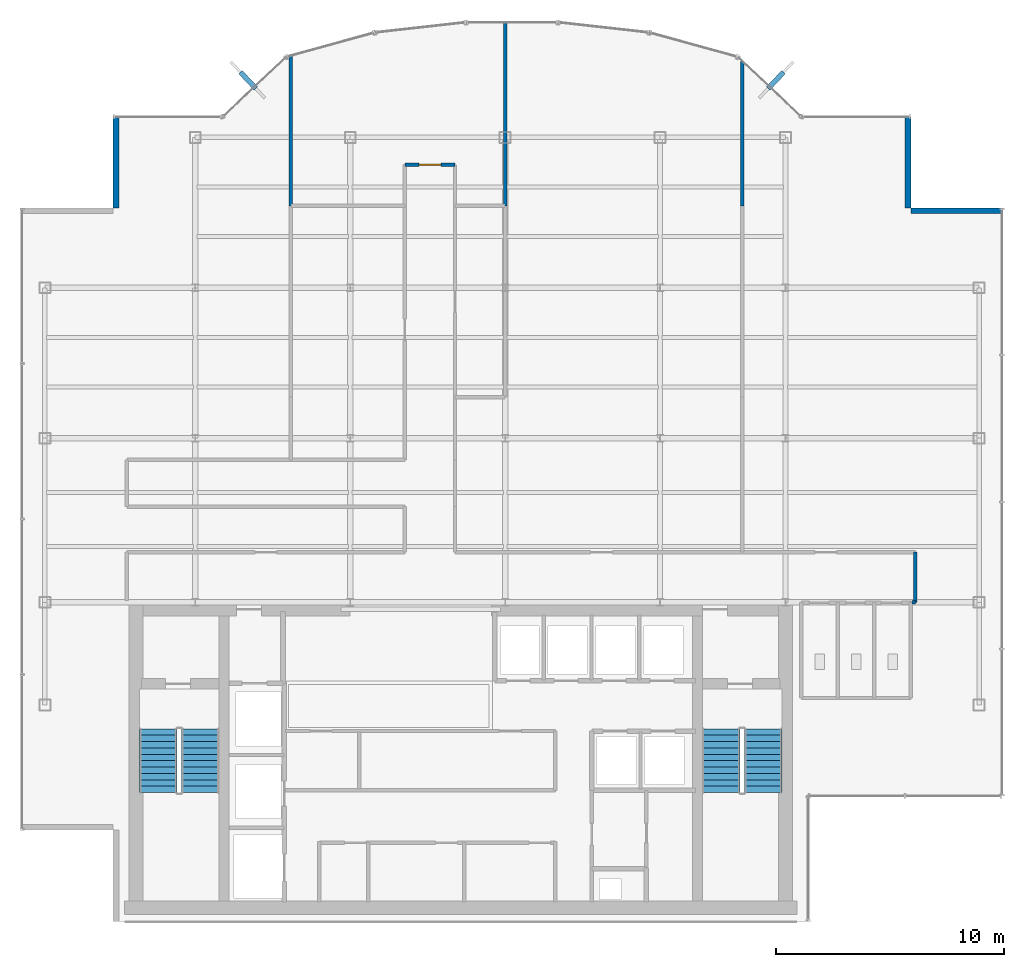
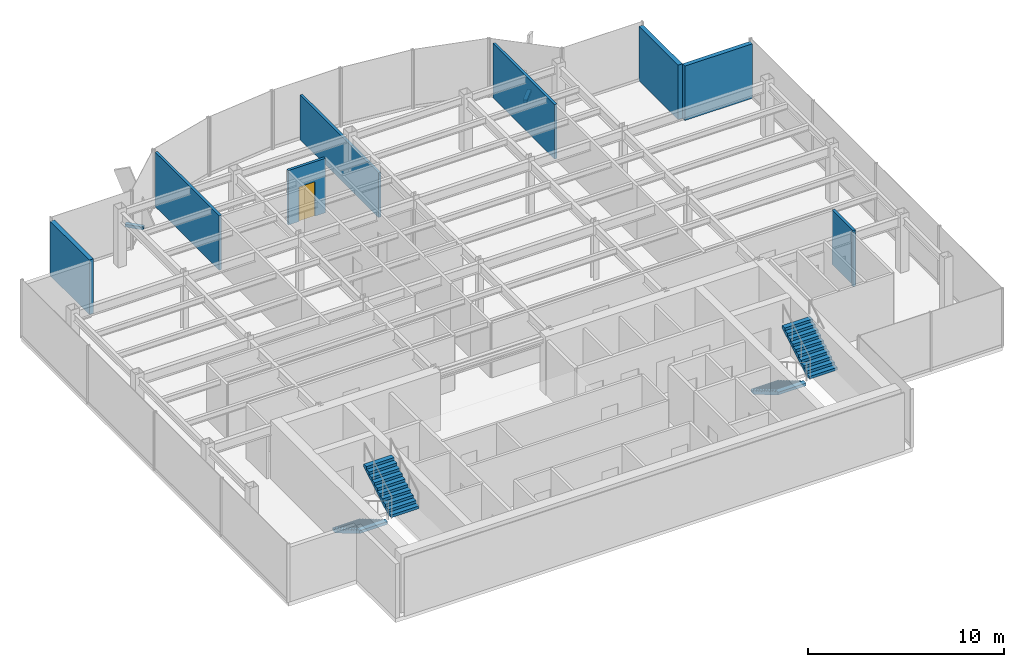
# One storey, part 19 of 22: 9 walls, 4 stair flights, 2 discrete accessories, 1 door, 1 opening, 2 elements without a shape of their own.
"""IFC4 building model written with IfcOpenShell, lengths in metres."""

from ifc_helpers import new_model, si_unit, derived_unit, direction, frame, frame_2d, origin, origin_2d, place, context, subcontext, project, spatial, polyline, rectangle, outline, extrude, source, transform, mapped, material, layer, layer_set, type_object, element, fill, aggregate, save


model = new_model("IFC4")

# Units and contexts
model_context = context("Model", 3, precision=1e-05, world=origin(), true_north=direction((0.0, 1.0)))
body_context = subcontext(model_context, "Body", "Model", "MODEL_VIEW")
ifc_project = project(units=[si_unit("LENGTHUNIT", "METRE"), si_unit("AREAUNIT", "SQUARE_METRE"), si_unit("VOLUMEUNIT", "CUBIC_METRE"), si_unit("PLANEANGLEUNIT", "RADIAN"), si_unit("MASSUNIT", "GRAM", prefix="KILO"), derived_unit("THERMALTRANSMITTANCEUNIT", [(si_unit("POWERUNIT", "WATT"), 1), (si_unit("LENGTHUNIT", "METRE"), -2), (si_unit("THERMODYNAMICTEMPERATUREUNIT", "KELVIN"), -1)])], contexts=[model_context])

# Site, building, storey
site_placement = place(None, origin())
site = spatial("IfcSite", under=ifc_project, at=site_placement, CompositionType="ELEMENT")
building_placement = place(site_placement, origin())
building = spatial("IfcBuilding", under=site, at=building_placement, Name="Skarnbrae Concourse Arena and Tower", CompositionType="ELEMENT")
storey_placement = place(building_placement, frame((0.0, 0.0, 206.85009765625)))
storey = spatial("IfcBuildingStorey", under=building, at=storey_placement, Name="L53", CompositionType="ELEMENT", Elevation=206.85009765625)

# Walls
ifc_material_1 = material(Name="Precast concrete 40 MPa (C40/50)", Category="concrete")
ifc_layer_1 = layer(ifc_material_1, 0.25)
ifc_layer_set_1 = layer_set([ifc_layer_1], Name="Precast concrete 40 MPa (C40/50)")
wall_type_1 = type_object("IfcWallType", Name="WALL-EXT-SPANDREL-250", PredefinedType="STANDARD", material=ifc_layer_set_1)
shared_shape_1 = source(origin(), body_context, "Body", "SweptSolid", [
    extrude(rectangle(XDim=4.0, YDim=0.25, at=frame_2d((2.0, 0.0))), origin(), (0.0, 0.0, 1.0), 3.39990234375),
])
for number, where, z_axis, x_axis, name in (
    (1, (43.0, 31.175048828125, 0.0), (0.0, 0.0, 1.0), (-1.0, 0.0, 0.0), "L53 Notched corner insulated return wall 05"),
    (2, (38.875, 31.300048828125, 0.0), (0.0, 0.0, 1.0), (0.0, 1.0, 0.0), "L53 Notched corner insulated return wall 06"),
    (3, (4.125, 35.300048828125, 0.0), (0.0, 0.0, 1.0), (0.0, -1.0, 0.0), "L53 Notched corner insulated return wall 16"),
):
    element("IfcWall", number, at=place(storey_placement, frame(where, z_axis=z_axis, x_axis=x_axis)), inside=storey, type_object=wall_type_1, Name=name, PredefinedType="STANDARD", context=body_context, shape_type="MappedRepresentation", body=[
        mapped(shared_shape_1, transform((0.0, 0.0, 0.0))),
    ])

# Wall, opening, door
ifc_material_2 = material(Name="Gypsum board on cold-formed steel studs", Category="steel")
ifc_layer_2 = layer(ifc_material_2, 0.14990234375)
ifc_layer_set_2 = layer_set([ifc_layer_2], Name="Gypsum board on cold-formed steel studs")
wall_type_2 = type_object("IfcWallType", Name="WALL-PART-150-1HR", PredefinedType="PARTITIONING", material=ifc_layer_set_2)
shared_shape_2 = source(origin(), body_context, "Body", "SweptSolid", [
    extrude(rectangle(XDim=2.199951171875, YDim=0.14990234375, at=frame_2d((1.10009765625, 0.0))), origin(), (0.0, 0.0, 1.0), 3.39990234375),
])
wall_1_placement = place(storey_placement, frame((16.800048828125, 33.199951171875, 0.0), z_axis=(0.0, 0.0, 1.0), x_axis=(1.0, 0.0, 0.0)))
wall_1 = element("IfcWall", 4, at=wall_1_placement, inside=storey, type_object=wall_type_2, Name="L53 Interior partition wall W-L53-COR-08", PredefinedType="PARTITIONING", context=body_context, shape_type="MappedRepresentation", body=[
    mapped(shared_shape_2, transform((0.0, 0.0, 0.0))),
])
opening_placement = place(wall_1_placement, frame((0.625, 0.0, 0.0)))
opening = element("IfcOpeningElement", 5, at=opening_placement, cuts=wall_1, Name="Opening DT-04", PredefinedType="OPENING", context=body_context, shape_type="SweptSolid", body=[
    extrude(rectangle(XDim=0.949951171875, YDim=2.14990234375, at=frame_2d((0.47509765625, 1.074951171875))), frame((0.0, 0.0849609375, 0.0), z_axis=(0.0, -1.0, 0.0), x_axis=(1.0, 0.0, 0.0)), (0.0, 0.0, 1.0), 0.169921875),
])
ifc_material_3 = material(Name="Steel CSA G40.21 350W", Category="steel")
door_type = type_object("IfcDoorType", Name="DOOR-INT-950-45M", OperationType="NOTDEFINED", PredefinedType="DOOR", material=ifc_material_3)
shared_shape_3 = source(origin(), body_context, "Body", "SweptSolid", [
    extrude(rectangle(XDim=0.949951171875, YDim=2.14990234375, at=frame_2d((0.47509765625, 1.074951171875))), frame((0.0, 0.02490234375, 0.0), z_axis=(0.0, -1.0, 0.0), x_axis=(1.0, 0.0, 0.0)), (0.0, 0.0, 1.0), 0.050048828125),
])
door_placement = place(opening_placement, origin())
door = element("IfcDoor", 6, at=door_placement, inside=storey, type_object=door_type, Name="D-1638 L53 Suite Door 03", OperationType="SINGLE_SWING_LEFT", OverallHeight=2.14990234375, OverallWidth=0.949951171875, PredefinedType="DOOR", context=body_context, shape_type="MappedRepresentation", body=[
    mapped(shared_shape_3, transform((0.0, 0.0, 0.0))),
])
fill(opening, door)

# Walls
wall_2_placement = place(storey_placement, frame((39.199951171875, 16.199951171875, 0.0), z_axis=(0.0, 0.0, 1.0), x_axis=(0.0, -1.0, 0.0)))
element("IfcWall", 7, at=wall_2_placement, inside=storey, type_object=wall_type_2, Name="L53 Interior partition wall W-L53-COR-13", PredefinedType="PARTITIONING", context=body_context, shape_type="MappedRepresentation", body=[
    mapped(shared_shape_2, transform((0.0, 0.0, 0.0))),
])
shared_shape_4 = source(origin(), body_context, "Body", "SweptSolid", [
    extrude(rectangle(XDim=0.14990234375, YDim=0.14990234375, at=frame_2d((0.074951171875, 0.0))), origin(), (0.0, 0.0, 1.0), 3.39990234375),
])
wall_3_placement = place(storey_placement, frame((39.199951171875, 14.0, 0.0), z_axis=(0.0, 0.0, 1.0), x_axis=(-1.0, 0.0, 0.0)))
element("IfcWall", 8, at=wall_3_placement, inside=storey, type_object=wall_type_2, Name="L53 Interior partition wall W-L53-COR-14", PredefinedType="PARTITIONING", context=body_context, shape_type="MappedRepresentation", body=[
    mapped(shared_shape_4, transform((0.0, 0.0, 0.0))),
])
ifc_layer_3 = layer(ifc_material_2, 0.14990234375)
ifc_layer_set_3 = layer_set([ifc_layer_3], Name="Gypsum board on cold-formed steel studs")
wall_type_3 = type_object("IfcWallType", Name="WALL-PART-150", PredefinedType="PARTITIONING", material=ifc_layer_set_3)
shared_shape_5 = source(origin(), body_context, "Body", "SweptSolid", [
    extrude(rectangle(XDim=6.563720703125, YDim=0.14990234375, at=frame_2d((3.28173828125, 0.0))), origin(), (0.0, 0.0, 1.0), 3.39990234375),
])
wall_4_placement = place(storey_placement, frame((11.800048828125, 37.963623046875, 0.0), z_axis=(0.0, 0.0, 1.0), x_axis=(0.0, -1.0, 0.0)))
element("IfcWall", 9, at=wall_4_placement, inside=storey, type_object=wall_type_3, Name="L53 Interior partition wall W-L53-DEM-18", PredefinedType="PARTITIONING", context=body_context, shape_type="MappedRepresentation", body=[
    mapped(shared_shape_5, transform((0.0, 0.0, 0.0))),
])
shared_shape_6 = source(origin(), body_context, "Body", "SweptSolid", [
    extrude(rectangle(XDim=8.02685546875, YDim=0.14990234375, at=frame_2d((4.013427734375, 0.0))), origin(), (0.0, 0.0, 1.0), 2.786865234375),
])
wall_5_placement = place(storey_placement, frame((21.199951171875, 39.4267578125, 0.0), z_axis=(0.0, 0.0, 1.0), x_axis=(0.0, -1.0, 0.0)))
element("IfcWall", 10, at=wall_5_placement, inside=storey, type_object=wall_type_3, Name="L53 Interior partition wall W-L53-DEM-22", PredefinedType="PARTITIONING", context=body_context, shape_type="MappedRepresentation", body=[
    mapped(shared_shape_6, transform((0.0, 0.0, 0.0))),
])
shared_shape_7 = source(origin(), body_context, "Body", "SweptSolid", [
    extrude(rectangle(XDim=6.3203125, YDim=0.14990234375, at=frame_2d((3.16015625, 0.0))), origin(), (0.0, 0.0, 1.0), 3.39990234375),
])
wall_6_placement = place(storey_placement, frame((31.60009765625, 37.72021484375, 0.0), z_axis=(0.0, 0.0, 1.0), x_axis=(0.0, -1.0, 0.0)))
element("IfcWall", 11, at=wall_6_placement, inside=storey, type_object=wall_type_3, Name="L53 Interior partition wall W-L53-DEM-23", PredefinedType="PARTITIONING", context=body_context, shape_type="MappedRepresentation", body=[
    mapped(shared_shape_7, transform((0.0, 0.0, 0.0))),
])

# Stair, stair flights
ifc_material_4 = material(Name="Concrete 40 MPa (C40/50)", Category="concrete")
stair_type = type_object("IfcStairType", Name="STAIR-DOGLEG-1650", PredefinedType="HALF_TURN_STAIR", material=ifc_material_4)
stair_1_placement = place(storey_placement, origin())
stair_1 = element("IfcStair", 12, at=stair_1_placement, inside=storey, type_object=stair_type, Name="L53 Protected Exit Stair ST-1", PredefinedType="HALF_TURN_STAIR")
stair_flight_type = type_object("IfcStairFlightType", Name="FLIGHT-STRAIGHT-1650", PredefinedType="STRAIGHT", material=ifc_material_4)
shared_shape_8 = source(origin(), body_context, "Body", "SweptSolid", [
    extrude(outline(polyline([(0.0, 0.0), (0.0, 0.166015625), (0.280029296875, 0.166015625), (0.280029296875, 0.331787109375), (0.56005859375, 0.331787109375), (0.56005859375, 0.497802734375), (0.840087890625, 0.497802734375), (0.840087890625, 0.66357421875), (1.1201171875, 0.66357421875), (1.1201171875, 0.82958984375), (1.39990234375, 0.82958984375), (1.39990234375, 0.995361328125), (1.679931640625, 0.995361328125), (1.679931640625, 1.161376953125), (1.9599609375, 1.161376953125), (1.9599609375, 1.327392578125), (2.239990234375, 1.327392578125), (2.239990234375, 1.4931640625), (2.52001953125, 1.4931640625), (2.52001953125, 1.6591796875), (2.800048828125, 1.6591796875), (2.800048828125, 1.824951171875), (2.800048828125, 1.48486328125), (0.2939453125, 0.0), (0.0, 0.0)])), frame((0.0, 0.824951171875, 0.0), z_axis=(0.0, -1.0, 0.0), x_axis=(1.0, 0.0, 0.0)), (0.0, 0.0, 1.0), 1.64990234375),
])
stair_flight_1_placement = place(storey_placement, frame((5.97509765625, 8.449951171875, 0.0), z_axis=(0.0, 0.0, 1.0), x_axis=(0.0, -1.0, 0.0)))
stair_flight_1 = element("IfcStairFlight", 13, at=stair_flight_1_placement, type_object=stair_flight_type, Name="ST-1 flight 1", NumberOfRisers=11, NumberOfTreads=10, PredefinedType="STRAIGHT", RiserHeight=0.165909091, TreadLength=0.28, context=body_context, shape_type="MappedRepresentation", body=[
    mapped(shared_shape_8, transform((0.0, 0.0, 0.0))),
])
stair_flight_2_placement = place(storey_placement, frame((7.824951171875, 5.64990234375, 1.824951171875), z_axis=(0.0, 0.0, 1.0), x_axis=(0.0, 1.0, 0.0)))
stair_flight_2 = element("IfcStairFlight", 14, at=stair_flight_2_placement, type_object=stair_flight_type, Name="ST-1 flight 2", NumberOfRisers=11, NumberOfTreads=10, PredefinedType="STRAIGHT", RiserHeight=0.165909091, TreadLength=0.28, context=body_context, shape_type="MappedRepresentation", body=[
    mapped(shared_shape_8, transform((0.0, 0.0, 0.0))),
])
aggregate(stair_1, [stair_flight_1, stair_flight_2])

stair_2_placement = place(storey_placement, origin())
stair_2 = element("IfcStair", 15, at=stair_2_placement, inside=storey, type_object=stair_type, Name="L53 Protected Exit Stair ST-2", PredefinedType="HALF_TURN_STAIR")
stair_flight_3_placement = place(storey_placement, frame((30.675048828125, 8.449951171875, 0.0), z_axis=(0.0, 0.0, 1.0), x_axis=(0.0, -1.0, 0.0)))
stair_flight_3 = element("IfcStairFlight", 16, at=stair_flight_3_placement, type_object=stair_flight_type, Name="ST-2 flight 1", NumberOfRisers=11, NumberOfTreads=10, PredefinedType="STRAIGHT", RiserHeight=0.165909091, TreadLength=0.28, context=body_context, shape_type="MappedRepresentation", body=[
    mapped(shared_shape_8, transform((0.0, 0.0, 0.0))),
])
stair_flight_4_placement = place(storey_placement, frame((32.52490234375, 5.64990234375, 1.824951171875), z_axis=(0.0, 0.0, 1.0), x_axis=(0.0, 1.0, 0.0)))
stair_flight_4 = element("IfcStairFlight", 17, at=stair_flight_4_placement, type_object=stair_flight_type, Name="ST-2 flight 2", NumberOfRisers=11, NumberOfTreads=10, PredefinedType="STRAIGHT", RiserHeight=0.165909091, TreadLength=0.28, context=body_context, shape_type="MappedRepresentation", body=[
    mapped(shared_shape_8, transform((0.0, 0.0, 0.0))),
])
aggregate(stair_2, [stair_flight_3, stair_flight_4])

# Discrete accessories
ifc_material_5 = material(Name="Bronze anodised aluminium 6063-T6", Category="aluminium")
discrete_accessory_type = type_object("IfcDiscreteAccessoryType", Name="ACC-FIN-BRACKET", PredefinedType="BRACKET", material=ifc_material_5)
shared_shape_9 = source(origin(), body_context, "Body", "SweptSolid", [
    extrude(rectangle(XDim=0.219970703125, YDim=0.97998046875, at=origin_2d()), origin(), (0.0, 0.0, 1.0), 0.179931640625),
])
for number, where, z_axis, x_axis, name in (
    (18, (33.0791015625, 36.904541015625, -0.0302734375), (0.0, 0.0, 1.0), (0.728131751529, -0.685437198009, 0.0), "L53 Bronze fin foot support bracket 08"),
    (19, (9.9208984375, 36.904541015625, -0.0302734375), (0.0, 0.0, 1.0), (0.728131751529, 0.685437198009, 0.0), "L53 Bronze fin foot support bracket 14"),
):
    element("IfcDiscreteAccessory", number, at=place(storey_placement, frame(where, z_axis=z_axis, x_axis=x_axis)), inside=storey, type_object=discrete_accessory_type, Name=name, PredefinedType="BRACKET", context=body_context, shape_type="MappedRepresentation", body=[
        mapped(shared_shape_9, transform((0.0, 0.0, 0.0))),
    ])

save(model, "model.ifc")
